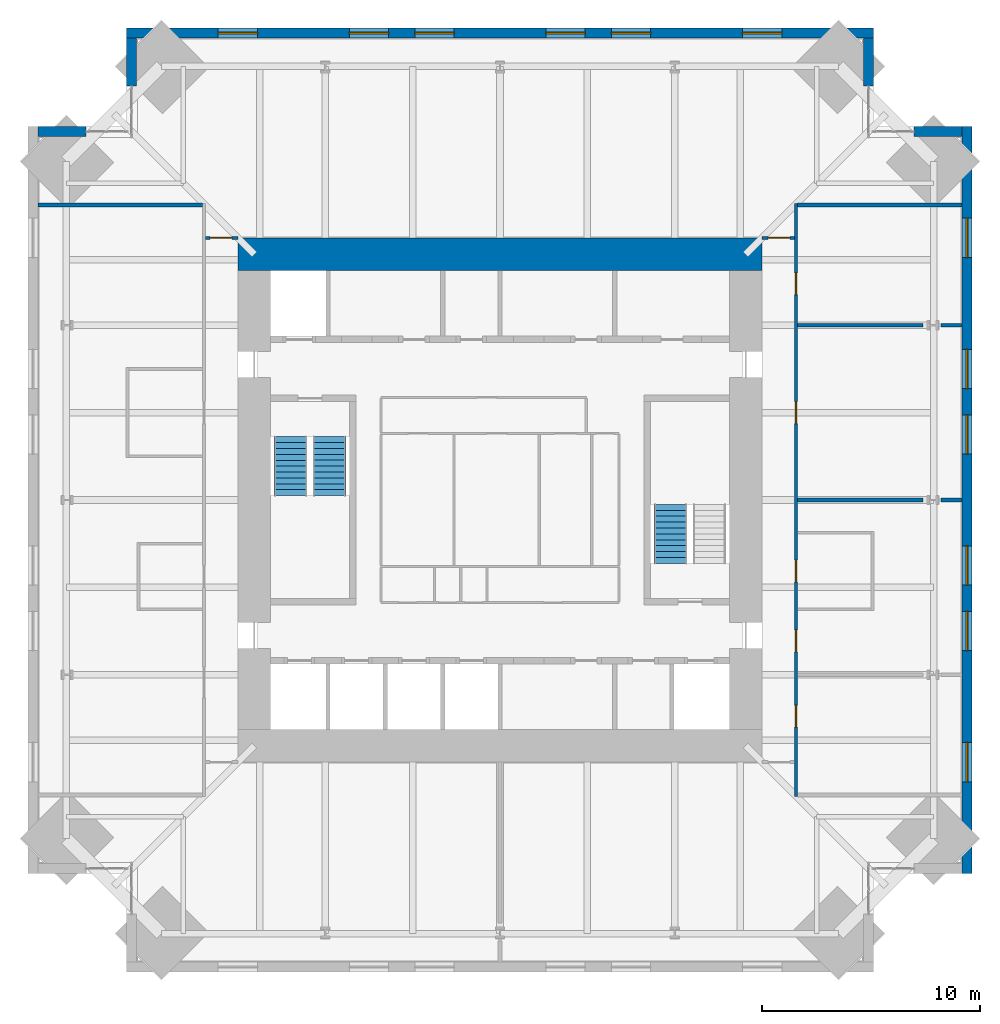
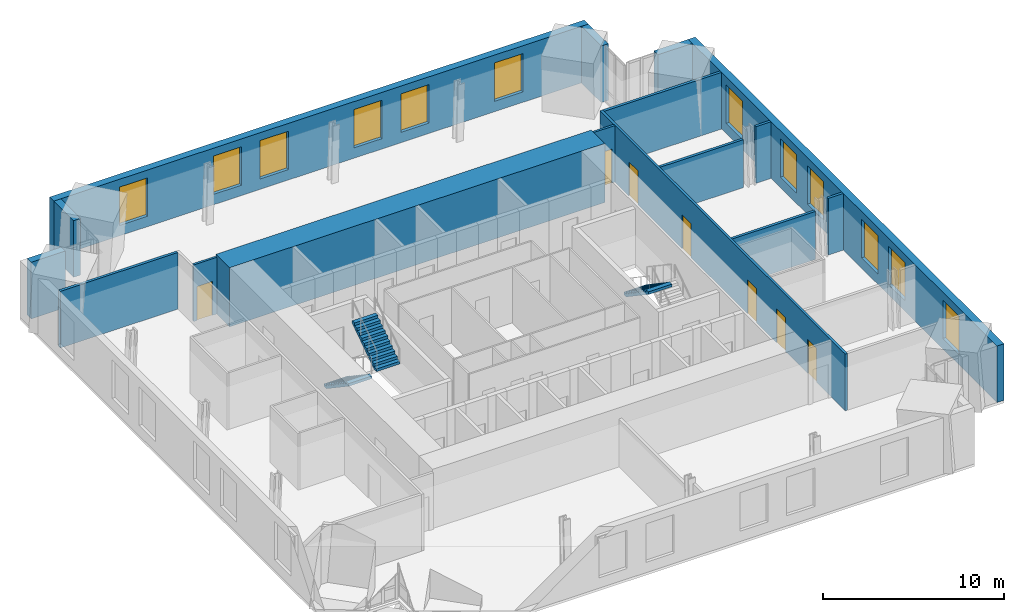
# One storey, part 14 of 16: 16 walls, 12 windows, 7 doors, 3 stair flights, 19 openings, 2 elements without a shape of their own.
"""IFC4 building model written with IfcOpenShell, lengths in metres."""

import ifcopenshell
import ifcopenshell.guid

model = None  # the IFC model being written
_history = None  # IfcOwnerHistory: only IFC2X3 demands one
_inside = {}  # id of a spatial element -> (the spatial element, [elements in it])
_under = {}  # id of a project, library or spatial element -> (it, [spatial elements below it])
_declared = {}  # id of a project -> (the project, [libraries it declares])
_typed = {}  # id of a type object -> (the type object, [elements of that type])
_made_of = {}  # id of a material, layer set ... -> (it, [elements and type objects made of it])


def new_model(schema):
    """Start an empty IFC model of exactly this schema.

    Asked for "IFC4X3", IfcOpenShell would pick the latest addendum, in which some entities
    have other attributes; the version numbers below select the first issue.
    IFC2X3 requires an IfcOwnerHistory on every rooted entity: one is made here for all.
    """
    global model, _history
    if schema == "IFC4X3":
        model = ifcopenshell.file(schema_version=(4, 3, 0, 0))
    else:
        model = ifcopenshell.file(schema=schema)
    _inside.clear()
    _under.clear()
    _declared.clear()
    _typed.clear()
    _made_of.clear()
    _history = None
    if model.schema == "IFC2X3":
        org = make("IfcOrganization", Name="unknown")
        user = make(
            "IfcPersonAndOrganization",
            ThePerson=make("IfcPerson", FamilyName="unknown"),
            TheOrganization=org,
        )
        app = make(
            "IfcApplication",
            ApplicationDeveloper=org,
            Version="unknown",
            ApplicationFullName="unknown",
            ApplicationIdentifier="unknown",
        )
        _history = make(
            "IfcOwnerHistory",
            OwningUser=user,
            OwningApplication=app,
            ChangeAction="ADDED",
            CreationDate=0,
        )
    return model


def make(cls, **values):
    """One entity of the class cls with the attributes given. An attribute that is None is left unset."""
    return model.create_entity(
        cls, **{name: value for name, value in values.items() if value is not None}
    )


def rooted(cls, **values):
    """An entity with a GlobalId (a new one), such as an element, a storey or a relation."""
    return make(cls, GlobalId=ifcopenshell.guid.new(), OwnerHistory=_history, **values)


def si_unit(unit_type, name, prefix=None):
    """IfcSIUnit, for example si_unit("LENGTHUNIT", "METRE", prefix="MILLI")."""
    return make("IfcSIUnit", UnitType=unit_type, Prefix=prefix, Name=name)


def assignment(units):
    """IfcUnitAssignment: the units of a project."""
    return None if units is None else make("IfcUnitAssignment", Units=units)


def point(xyz):
    """IfcCartesianPoint."""
    return None if xyz is None else make("IfcCartesianPoint", Coordinates=xyz)


def direction(xyz):
    """IfcDirection."""
    return None if xyz is None else make("IfcDirection", DirectionRatios=xyz)


def frame(location, z_axis=None, x_axis=None):
    """IfcAxis2Placement3D, a coordinate frame: its origin and axes. An axis left out is left unset."""
    return make(
        "IfcAxis2Placement3D",
        Location=point(location),
        Axis=direction(z_axis),
        RefDirection=direction(x_axis),
    )


def frame_2d(location, x_axis=None):
    """IfcAxis2Placement2D, a coordinate frame in the plane: its origin and x axis."""
    return make(
        "IfcAxis2Placement2D", Location=point(location), RefDirection=direction(x_axis)
    )


def origin():
    """The frame at (0, 0, 0) with its axes left unset."""
    return frame((0.0, 0.0, 0.0))


def place(relative_to, where):
    """IfcLocalPlacement: puts the frame where relative to a parent placement (None: the world)."""
    return make(
        "IfcLocalPlacement", PlacementRelTo=relative_to, RelativePlacement=where
    )


def context(
    kind, dimensions, precision=None, world=None, true_north=None, identifier=None
):
    """IfcGeometricRepresentationContext, for example the 3D "Model" context."""
    return make(
        "IfcGeometricRepresentationContext",
        ContextIdentifier=identifier,
        ContextType=kind,
        CoordinateSpaceDimension=dimensions,
        Precision=precision,
        WorldCoordinateSystem=world,
        TrueNorth=true_north,
    )


def subcontext(parent, identifier, kind, view, scale=None):
    """IfcGeometricRepresentationSubContext, for example "Body" below "Model"."""
    return make(
        "IfcGeometricRepresentationSubContext",
        ContextIdentifier=identifier,
        ContextType=kind,
        ParentContext=parent,
        TargetScale=scale,
        TargetView=view,
    )


def project(units=None, contexts=None):
    """IfcProject with its units and contexts."""
    return rooted(
        "IfcProject",
        Name="project",
        RepresentationContexts=contexts,
        UnitsInContext=assignment(units),
    )


def spatial(cls, under=None, at=None, **own):
    """A site, building, storey or space (cls), placed at a placement, below another one or the project."""
    s = rooted(cls, ObjectPlacement=at, **own)
    if under is not None:
        _under.setdefault(under.id(), (under, []))[1].append(s)
    return s


def polyline(points):
    """IfcPolyline through the points."""
    return make("IfcPolyline", Points=[point(p) for p in points])


def profile(cls, at=None, kind="AREA", **sizes):
    """A parametric profile (cls). Its sizes go by their IFC names, for example OverallWidth=200.0."""
    return make(cls, ProfileType=kind, Position=at, **sizes)


def rectangle(**sizes):
    """IfcRectangleProfileDef."""
    return profile("IfcRectangleProfileDef", **sizes)


def outline(outer, holes=None, kind="AREA"):
    """IfcArbitraryClosedProfileDef: a profile drawn as a closed curve; with holes, ...WithVoids."""
    if holes is None:
        return make("IfcArbitraryClosedProfileDef", ProfileType=kind, OuterCurve=outer)
    return make(
        "IfcArbitraryProfileDefWithVoids",
        ProfileType=kind,
        OuterCurve=outer,
        InnerCurves=holes,
    )


def extrude(swept, where, along, depth):
    """IfcExtrudedAreaSolid: the profile swept, set in the frame where, extruded along a direction by depth."""
    return make(
        "IfcExtrudedAreaSolid",
        SweptArea=swept,
        Position=where,
        ExtrudedDirection=direction(along),
        Depth=depth,
    )


def shape(context_of_items, identifier, shape_type, items):
    """IfcShapeRepresentation: the items that make up one representation, for example the "Body"."""
    return make(
        "IfcShapeRepresentation",
        ContextOfItems=context_of_items,
        RepresentationIdentifier=identifier,
        RepresentationType=shape_type,
        Items=items,
    )


def material(Name=None, Category=None):
    """IfcMaterial."""
    return make("IfcMaterial", Name=Name, Category=Category)


def layer(
    of_material, thickness, ventilated=None, Name=None, Category=None, Priority=None
):
    """IfcMaterialLayer: one layer of a wall or slab, of a material (None: an air gap)."""
    return make(
        "IfcMaterialLayer",
        Material=of_material,
        LayerThickness=thickness,
        IsVentilated=ventilated,
        Name=Name,
        Category=Category,
        Priority=Priority,
    )


def layer_set(layers, Name=None):
    """IfcMaterialLayerSet."""
    return make("IfcMaterialLayerSet", MaterialLayers=layers, LayerSetName=Name)


def made_of(thing, what):
    """Note that an element or type object is made of a material, layer set ...; save() writes the relation."""
    if what is not None:
        _made_of.setdefault(what.id(), (what, []))[1].append(thing)
    return thing


def type_object(cls, material=None, **own):
    """A type object (cls), such as IfcWallType, which elements share."""
    return made_of(rooted(cls, **own), material)


def element(
    cls,
    number,
    at=None,
    inside=None,
    cuts=None,
    type_object=None,
    material=None,
    context=None,
    identifier="Body",
    shape_type=None,
    held_by="IfcProductDefinitionShape",
    body=None,
    shapes=None,
    **own,
):
    """One element of the class cls, such as IfcWall. Its Tag is "e" and its number.

    at: its placement. inside: the storey or other place that contains it. cuts: it is an
    opening in that element (IfcRelVoidsElement). A single representation is given by context,
    identifier, shape_type and body (its items); several are given by shapes. held_by: the class
    of the entity that holds the representations. save() writes the other relations.
    """
    e = rooted(cls, Tag="e%d" % number, ObjectPlacement=at, **own)
    if body is not None:
        shapes = [shape(context, identifier, shape_type, body)]
    if shapes is not None:
        e.Representation = make(held_by, Representations=shapes)
    if inside is not None:
        _inside.setdefault(inside.id(), (inside, []))[1].append(e)
    if cuts is not None:
        rooted(
            "IfcRelVoidsElement", RelatingBuildingElement=cuts, RelatedOpeningElement=e
        )
    if type_object is not None:
        _typed.setdefault(type_object.id(), (type_object, []))[1].append(e)
    return made_of(e, material)


def fill(opening, filler):
    """IfcRelFillsElement: the door or window that sits in an opening."""
    return rooted(
        "IfcRelFillsElement",
        RelatingOpeningElement=opening,
        RelatedBuildingElement=filler,
    )


def aggregate(whole, parts):
    """IfcRelAggregates: a whole, such as a stair, and the parts it consists of."""
    return rooted("IfcRelAggregates", RelatingObject=whole, RelatedObjects=parts)


def save(model, path):
    """Write the relations noted so far, then the file.

    IfcRelAggregates (storeys below a building ...), IfcRelContainedInSpatialStructure (elements
    in a storey), IfcRelDefinesByType, IfcRelAssociatesMaterial and IfcRelDeclares: one each for
    every whole, place, type object, material and project.
    """
    for whole, parts in _under.values():
        aggregate(whole, parts)
    for where, things in _inside.values():
        rooted(
            "IfcRelContainedInSpatialStructure",
            RelatedElements=things,
            RelatingStructure=where,
        )
    for kind, things in _typed.values():
        rooted("IfcRelDefinesByType", RelatedObjects=things, RelatingType=kind)
    for what, things in _made_of.values():
        rooted("IfcRelAssociatesMaterial", RelatedObjects=things, RelatingMaterial=what)
    for by, libraries in _declared.values():
        rooted("IfcRelDeclares", RelatingContext=by, RelatedDefinitions=libraries)
    model.write(path)


model = new_model("IFC4")

# Units and contexts
model_context = context("Model", 3, precision=1e-05, world=origin(), true_north=direction((0.0, 1.0)))
body_context = subcontext(model_context, "Body", "Model", "MODEL_VIEW")
ifc_project = project(units=[si_unit("LENGTHUNIT", "METRE"), si_unit("AREAUNIT", "SQUARE_METRE"), si_unit("VOLUMEUNIT", "CUBIC_METRE"), si_unit("PLANEANGLEUNIT", "RADIAN"), si_unit("MASSUNIT", "GRAM", prefix="KILO")], contexts=[model_context])

# Site, building, storey
site_placement = place(None, origin())
site = spatial("IfcSite", under=ifc_project, at=site_placement, CompositionType="ELEMENT")
building_placement = place(site_placement, origin())
building = spatial("IfcBuilding", under=site, at=building_placement, Name="Peilmerk Tower", CompositionType="ELEMENT")
storey_placement = place(building_placement, frame((0.0, 0.0, 273.800048828125)))
storey = spatial("IfcBuildingStorey", under=building, at=storey_placement, Name="L61", CompositionType="ELEMENT", Elevation=273.800048828125)

# Wall, openings, windows
ifc_material_1 = material(Name="Precast concrete C45/55, board-marked finish", Category="concrete")
ifc_layer_1 = layer(ifc_material_1, 0.449951171875)
ifc_layer_set_1 = layer_set([ifc_layer_1], Name="Precast concrete C45/55, board-marked finish")
wall_type_1 = type_object("IfcWallType", Name="EW1 450 precast concrete facade wall, board-marked", PredefinedType="SOLIDWALL", material=ifc_layer_set_1)
wall_1_placement = place(storey_placement, frame((17.10009765625, 21.375, 0.0), z_axis=(0.0, 0.0, 1.0), x_axis=(-1.0, 0.0, 0.0)))
wall_1 = element("IfcWall", 1, at=wall_1_placement, inside=storey, type_object=wall_type_1, Name="Facade wall N L61", PredefinedType="SOLIDWALL", context=body_context, shape_type="SweptSolid", body=[
    extrude(rectangle(XDim=34.2001953125, YDim=0.449951171875, at=frame_2d((17.10009765625, 0.0))), origin(), (0.0, 0.0, 1.0), 3.829833984375),
])
opening_1_placement = place(wall_1_placement, frame((4.199951171875, 0.0, 0.699951171875)))
opening_1 = element("IfcOpeningElement", 2, at=opening_1_placement, cuts=wall_1, Name="Opening W1", PredefinedType="OPENING", context=body_context, shape_type="SweptSolid", body=[
    extrude(rectangle(XDim=1.800048828125, YDim=2.60009765625, at=frame_2d((0.89990234375, 1.300048828125))), frame((0.0, 0.23486328125, 0.0), z_axis=(0.0, -1.0, 0.0), x_axis=(1.0, 0.0, 0.0)), (0.0, 0.0, 1.0), 0.469970703125),
])
opening_2_placement = place(wall_1_placement, frame((10.199951171875, 0.0, 0.699951171875)))
opening_2 = element("IfcOpeningElement", 3, at=opening_2_placement, cuts=wall_1, Name="Opening W1", PredefinedType="OPENING", context=body_context, shape_type="SweptSolid", body=[
    extrude(rectangle(XDim=1.800048828125, YDim=2.60009765625, at=frame_2d((0.89990234375, 1.300048828125))), frame((0.0, 0.23486328125, 0.0), z_axis=(0.0, -1.0, 0.0), x_axis=(1.0, 0.0, 0.0)), (0.0, 0.0, 1.0), 0.469970703125),
])
opening_3_placement = place(wall_1_placement, frame((13.199951171875, 0.0, 0.699951171875)))
opening_3 = element("IfcOpeningElement", 4, at=opening_3_placement, cuts=wall_1, Name="Opening W1", PredefinedType="OPENING", context=body_context, shape_type="SweptSolid", body=[
    extrude(rectangle(XDim=1.800048828125, YDim=2.60009765625, at=frame_2d((0.89990234375, 1.300048828125))), frame((0.0, 0.23486328125, 0.0), z_axis=(0.0, -1.0, 0.0), x_axis=(1.0, 0.0, 0.0)), (0.0, 0.0, 1.0), 0.469970703125),
])
opening_4_placement = place(wall_1_placement, frame((19.199951171875, 0.0, 0.699951171875)))
opening_4 = element("IfcOpeningElement", 5, at=opening_4_placement, cuts=wall_1, Name="Opening W1", PredefinedType="OPENING", context=body_context, shape_type="SweptSolid", body=[
    extrude(rectangle(XDim=1.800048828125, YDim=2.60009765625, at=frame_2d((0.89990234375, 1.300048828125))), frame((0.0, 0.23486328125, 0.0), z_axis=(0.0, -1.0, 0.0), x_axis=(1.0, 0.0, 0.0)), (0.0, 0.0, 1.0), 0.469970703125),
])
opening_5_placement = place(wall_1_placement, frame((22.199951171875, 0.0, 0.699951171875)))
opening_5 = element("IfcOpeningElement", 6, at=opening_5_placement, cuts=wall_1, Name="Opening W1", PredefinedType="OPENING", context=body_context, shape_type="SweptSolid", body=[
    extrude(rectangle(XDim=1.800048828125, YDim=2.60009765625, at=frame_2d((0.89990234375, 1.300048828125))), frame((0.0, 0.23486328125, 0.0), z_axis=(0.0, -1.0, 0.0), x_axis=(1.0, 0.0, 0.0)), (0.0, 0.0, 1.0), 0.469970703125),
])
opening_6_placement = place(wall_1_placement, frame((28.199951171875, 0.0, 0.699951171875)))
opening_6 = element("IfcOpeningElement", 7, at=opening_6_placement, cuts=wall_1, Name="Opening W1", PredefinedType="OPENING", context=body_context, shape_type="SweptSolid", body=[
    extrude(rectangle(XDim=1.800048828125, YDim=2.60009765625, at=frame_2d((0.89990234375, 1.300048828125))), frame((0.0, 0.23486328125, 0.0), z_axis=(0.0, -1.0, 0.0), x_axis=(1.0, 0.0, 0.0)), (0.0, 0.0, 1.0), 0.469970703125),
])
ifc_material_2 = material(Name="Aluminium frame, clear double glazing", Category="aluminium")
window_type = type_object("IfcWindowType", Name="W1 1800x2600 office window", PartitioningType="SINGLE_PANEL", PredefinedType="WINDOW", material=ifc_material_2)
window_1_placement = place(opening_1_placement, origin())
window_1 = element("IfcWindow", 8, at=window_1_placement, inside=storey, type_object=window_type, Name="Window W1 L61", OverallHeight=2.60009765625, OverallWidth=1.800048828125, PartitioningType="SINGLE_PANEL", PredefinedType="WINDOW", context=body_context, shape_type="SweptSolid", body=[
    extrude(rectangle(XDim=1.800048828125, YDim=2.60009765625, at=frame_2d((0.89990234375, 1.300048828125))), frame((0.0, 0.030029296875, 0.0), z_axis=(0.0, -1.0, 0.0), x_axis=(1.0, 0.0, 0.0)), (0.0, 0.0, 1.0), 0.06005859375),
])
fill(opening_1, window_1)
window_2_placement = place(opening_2_placement, origin())
window_2 = element("IfcWindow", 9, at=window_2_placement, inside=storey, type_object=window_type, Name="Window W1 L61", OverallHeight=2.60009765625, OverallWidth=1.800048828125, PartitioningType="SINGLE_PANEL", PredefinedType="WINDOW", context=body_context, shape_type="SweptSolid", body=[
    extrude(rectangle(XDim=1.800048828125, YDim=2.60009765625, at=frame_2d((0.89990234375, 1.300048828125))), frame((0.0, 0.030029296875, 0.0), z_axis=(0.0, -1.0, 0.0), x_axis=(1.0, 0.0, 0.0)), (0.0, 0.0, 1.0), 0.06005859375),
])
fill(opening_2, window_2)
window_3_placement = place(opening_3_placement, origin())
window_3 = element("IfcWindow", 10, at=window_3_placement, inside=storey, type_object=window_type, Name="Window W1 L61", OverallHeight=2.60009765625, OverallWidth=1.800048828125, PartitioningType="SINGLE_PANEL", PredefinedType="WINDOW", context=body_context, shape_type="SweptSolid", body=[
    extrude(rectangle(XDim=1.800048828125, YDim=2.60009765625, at=frame_2d((0.89990234375, 1.300048828125))), frame((0.0, 0.030029296875, 0.0), z_axis=(0.0, -1.0, 0.0), x_axis=(1.0, 0.0, 0.0)), (0.0, 0.0, 1.0), 0.06005859375),
])
fill(opening_3, window_3)
window_4_placement = place(opening_4_placement, origin())
window_4 = element("IfcWindow", 11, at=window_4_placement, inside=storey, type_object=window_type, Name="Window W1 L61", OverallHeight=2.60009765625, OverallWidth=1.800048828125, PartitioningType="SINGLE_PANEL", PredefinedType="WINDOW", context=body_context, shape_type="SweptSolid", body=[
    extrude(rectangle(XDim=1.800048828125, YDim=2.60009765625, at=frame_2d((0.89990234375, 1.300048828125))), frame((0.0, 0.030029296875, 0.0), z_axis=(0.0, -1.0, 0.0), x_axis=(1.0, 0.0, 0.0)), (0.0, 0.0, 1.0), 0.06005859375),
])
fill(opening_4, window_4)
window_5_placement = place(opening_5_placement, origin())
window_5 = element("IfcWindow", 12, at=window_5_placement, inside=storey, type_object=window_type, Name="Window W1 L61", OverallHeight=2.60009765625, OverallWidth=1.800048828125, PartitioningType="SINGLE_PANEL", PredefinedType="WINDOW", context=body_context, shape_type="SweptSolid", body=[
    extrude(rectangle(XDim=1.800048828125, YDim=2.60009765625, at=frame_2d((0.89990234375, 1.300048828125))), frame((0.0, 0.030029296875, 0.0), z_axis=(0.0, -1.0, 0.0), x_axis=(1.0, 0.0, 0.0)), (0.0, 0.0, 1.0), 0.06005859375),
])
fill(opening_5, window_5)
window_6_placement = place(opening_6_placement, origin())
window_6 = element("IfcWindow", 13, at=window_6_placement, inside=storey, type_object=window_type, Name="Window W1 L61", OverallHeight=2.60009765625, OverallWidth=1.800048828125, PartitioningType="SINGLE_PANEL", PredefinedType="WINDOW", context=body_context, shape_type="SweptSolid", body=[
    extrude(rectangle(XDim=1.800048828125, YDim=2.60009765625, at=frame_2d((0.89990234375, 1.300048828125))), frame((0.0, 0.030029296875, 0.0), z_axis=(0.0, -1.0, 0.0), x_axis=(1.0, 0.0, 0.0)), (0.0, 0.0, 1.0), 0.06005859375),
])
fill(opening_6, window_6)

wall_2_placement = place(storey_placement, frame((21.375, -17.10009765625, 0.0), z_axis=(0.0, 0.0, 1.0), x_axis=(0.0, 1.0, 0.0)))
wall_2 = element("IfcWall", 14, at=wall_2_placement, inside=storey, type_object=wall_type_1, Name="Facade wall E L61", PredefinedType="SOLIDWALL", context=body_context, shape_type="SweptSolid", body=[
    extrude(rectangle(XDim=34.2001953125, YDim=0.449951171875, at=frame_2d((17.10009765625, 0.0))), origin(), (0.0, 0.0, 1.0), 3.829833984375),
])
opening_7_placement = place(wall_2_placement, frame((4.199951171875, 0.0, 0.699951171875)))
opening_7 = element("IfcOpeningElement", 15, at=opening_7_placement, cuts=wall_2, Name="Opening W1", PredefinedType="OPENING", context=body_context, shape_type="SweptSolid", body=[
    extrude(rectangle(XDim=1.800048828125, YDim=2.60009765625, at=frame_2d((0.89990234375, 1.300048828125))), frame((0.0, 0.23486328125, 0.0), z_axis=(0.0, -1.0, 0.0), x_axis=(1.0, 0.0, 0.0)), (0.0, 0.0, 1.0), 0.469970703125),
])
opening_8_placement = place(wall_2_placement, frame((10.199951171875, 0.0, 0.699951171875)))
opening_8 = element("IfcOpeningElement", 16, at=opening_8_placement, cuts=wall_2, Name="Opening W1", PredefinedType="OPENING", context=body_context, shape_type="SweptSolid", body=[
    extrude(rectangle(XDim=1.800048828125, YDim=2.60009765625, at=frame_2d((0.89990234375, 1.300048828125))), frame((0.0, 0.23486328125, 0.0), z_axis=(0.0, -1.0, 0.0), x_axis=(1.0, 0.0, 0.0)), (0.0, 0.0, 1.0), 0.469970703125),
])
opening_9_placement = place(wall_2_placement, frame((13.199951171875, 0.0, 0.699951171875)))
opening_9 = element("IfcOpeningElement", 17, at=opening_9_placement, cuts=wall_2, Name="Opening W1", PredefinedType="OPENING", context=body_context, shape_type="SweptSolid", body=[
    extrude(rectangle(XDim=1.800048828125, YDim=2.60009765625, at=frame_2d((0.89990234375, 1.300048828125))), frame((0.0, 0.23486328125, 0.0), z_axis=(0.0, -1.0, 0.0), x_axis=(1.0, 0.0, 0.0)), (0.0, 0.0, 1.0), 0.469970703125),
])
opening_10_placement = place(wall_2_placement, frame((19.199951171875, 0.0, 0.699951171875)))
opening_10 = element("IfcOpeningElement", 18, at=opening_10_placement, cuts=wall_2, Name="Opening W1", PredefinedType="OPENING", context=body_context, shape_type="SweptSolid", body=[
    extrude(rectangle(XDim=1.800048828125, YDim=2.60009765625, at=frame_2d((0.89990234375, 1.300048828125))), frame((0.0, 0.23486328125, 0.0), z_axis=(0.0, -1.0, 0.0), x_axis=(1.0, 0.0, 0.0)), (0.0, 0.0, 1.0), 0.469970703125),
])
opening_11_placement = place(wall_2_placement, frame((22.199951171875, 0.0, 0.699951171875)))
opening_11 = element("IfcOpeningElement", 19, at=opening_11_placement, cuts=wall_2, Name="Opening W1", PredefinedType="OPENING", context=body_context, shape_type="SweptSolid", body=[
    extrude(rectangle(XDim=1.800048828125, YDim=2.60009765625, at=frame_2d((0.89990234375, 1.300048828125))), frame((0.0, 0.23486328125, 0.0), z_axis=(0.0, -1.0, 0.0), x_axis=(1.0, 0.0, 0.0)), (0.0, 0.0, 1.0), 0.469970703125),
])
opening_12_placement = place(wall_2_placement, frame((28.199951171875, 0.0, 0.699951171875)))
opening_12 = element("IfcOpeningElement", 20, at=opening_12_placement, cuts=wall_2, Name="Opening W1", PredefinedType="OPENING", context=body_context, shape_type="SweptSolid", body=[
    extrude(rectangle(XDim=1.800048828125, YDim=2.60009765625, at=frame_2d((0.89990234375, 1.300048828125))), frame((0.0, 0.23486328125, 0.0), z_axis=(0.0, -1.0, 0.0), x_axis=(1.0, 0.0, 0.0)), (0.0, 0.0, 1.0), 0.469970703125),
])
window_7_placement = place(opening_7_placement, origin())
window_7 = element("IfcWindow", 21, at=window_7_placement, inside=storey, type_object=window_type, Name="Window W1 L61", OverallHeight=2.60009765625, OverallWidth=1.800048828125, PartitioningType="SINGLE_PANEL", PredefinedType="WINDOW", context=body_context, shape_type="SweptSolid", body=[
    extrude(rectangle(XDim=1.800048828125, YDim=2.60009765625, at=frame_2d((0.89990234375, 1.300048828125))), frame((0.0, 0.030029296875, 0.0), z_axis=(0.0, -1.0, 0.0), x_axis=(1.0, 0.0, 0.0)), (0.0, 0.0, 1.0), 0.06005859375),
])
fill(opening_7, window_7)
window_8_placement = place(opening_8_placement, origin())
window_8 = element("IfcWindow", 22, at=window_8_placement, inside=storey, type_object=window_type, Name="Window W1 L61", OverallHeight=2.60009765625, OverallWidth=1.800048828125, PartitioningType="SINGLE_PANEL", PredefinedType="WINDOW", context=body_context, shape_type="SweptSolid", body=[
    extrude(rectangle(XDim=1.800048828125, YDim=2.60009765625, at=frame_2d((0.89990234375, 1.300048828125))), frame((0.0, 0.030029296875, 0.0), z_axis=(0.0, -1.0, 0.0), x_axis=(1.0, 0.0, 0.0)), (0.0, 0.0, 1.0), 0.06005859375),
])
fill(opening_8, window_8)
window_9_placement = place(opening_9_placement, origin())
window_9 = element("IfcWindow", 23, at=window_9_placement, inside=storey, type_object=window_type, Name="Window W1 L61", OverallHeight=2.60009765625, OverallWidth=1.800048828125, PartitioningType="SINGLE_PANEL", PredefinedType="WINDOW", context=body_context, shape_type="SweptSolid", body=[
    extrude(rectangle(XDim=1.800048828125, YDim=2.60009765625, at=frame_2d((0.89990234375, 1.300048828125))), frame((0.0, 0.030029296875, 0.0), z_axis=(0.0, -1.0, 0.0), x_axis=(1.0, 0.0, 0.0)), (0.0, 0.0, 1.0), 0.06005859375),
])
fill(opening_9, window_9)
window_10_placement = place(opening_10_placement, origin())
window_10 = element("IfcWindow", 24, at=window_10_placement, inside=storey, type_object=window_type, Name="Window W1 L61", OverallHeight=2.60009765625, OverallWidth=1.800048828125, PartitioningType="SINGLE_PANEL", PredefinedType="WINDOW", context=body_context, shape_type="SweptSolid", body=[
    extrude(rectangle(XDim=1.800048828125, YDim=2.60009765625, at=frame_2d((0.89990234375, 1.300048828125))), frame((0.0, 0.030029296875, 0.0), z_axis=(0.0, -1.0, 0.0), x_axis=(1.0, 0.0, 0.0)), (0.0, 0.0, 1.0), 0.06005859375),
])
fill(opening_10, window_10)
window_11_placement = place(opening_11_placement, origin())
window_11 = element("IfcWindow", 25, at=window_11_placement, inside=storey, type_object=window_type, Name="Window W1 L61", OverallHeight=2.60009765625, OverallWidth=1.800048828125, PartitioningType="SINGLE_PANEL", PredefinedType="WINDOW", context=body_context, shape_type="SweptSolid", body=[
    extrude(rectangle(XDim=1.800048828125, YDim=2.60009765625, at=frame_2d((0.89990234375, 1.300048828125))), frame((0.0, 0.030029296875, 0.0), z_axis=(0.0, -1.0, 0.0), x_axis=(1.0, 0.0, 0.0)), (0.0, 0.0, 1.0), 0.06005859375),
])
fill(opening_11, window_11)
window_12_placement = place(opening_12_placement, origin())
window_12 = element("IfcWindow", 26, at=window_12_placement, inside=storey, type_object=window_type, Name="Window W1 L61", OverallHeight=2.60009765625, OverallWidth=1.800048828125, PartitioningType="SINGLE_PANEL", PredefinedType="WINDOW", context=body_context, shape_type="SweptSolid", body=[
    extrude(rectangle(XDim=1.800048828125, YDim=2.60009765625, at=frame_2d((0.89990234375, 1.300048828125))), frame((0.0, 0.030029296875, 0.0), z_axis=(0.0, -1.0, 0.0), x_axis=(1.0, 0.0, 0.0)), (0.0, 0.0, 1.0), 0.06005859375),
])
fill(opening_12, window_12)

# Walls
for number, where, z_axis, x_axis, name in (
    (27, (16.875, 18.95361328125, 0.0), (0.0, 0.0, 1.0), (0.0, 1.0, 0.0), "Facade wall NEA L61"),
    (28, (18.95361328125, 16.875, 0.0), (0.0, 0.0, 1.0), (1.0, 0.0, 0.0), "Facade wall NEB L61"),
    (29, (-16.875, 18.95361328125, 0.0), (0.0, 0.0, 1.0), (0.0, 1.0, 0.0), "Facade wall NWA L61"),
    (30, (-18.95361328125, 16.875, 0.0), (0.0, 0.0, 1.0), (-1.0, 0.0, 0.0), "Facade wall NWB L61"),
):
    element("IfcWall", number, at=place(storey_placement, frame(where, z_axis=z_axis, x_axis=x_axis)), inside=storey, type_object=wall_type_1, Name=name, PredefinedType="SOLIDWALL", context=body_context, shape_type="SweptSolid", body=[
        extrude(rectangle(XDim=2.1962890625, YDim=0.449951171875, at=frame_2d((1.09814453125, 0.0))), origin(), (0.0, 0.0, 1.0), 3.829833984375),
    ])

# Wall, openings, doors
ifc_material_3 = material(Name="Calcium silicate block", Category="masonry")
ifc_layer_2 = layer(ifc_material_3, 0.14990234375)
ifc_layer_set_2 = layer_set([ifc_layer_2], Name="Calcium silicate block")
wall_type_2 = type_object("IfcWallType", Name="IW1 150 corridor partition, EI 60", PredefinedType="PARTITIONING", material=ifc_layer_set_2)
wall_3_placement = place(storey_placement, frame((13.550048828125, -13.574951171875, 0.0), z_axis=(0.0, 0.0, 1.0), x_axis=(0.0, 1.0, 0.0)))
wall_3 = element("IfcWall", 31, at=wall_3_placement, inside=storey, type_object=wall_type_2, Name="Corridor wall E L61", PredefinedType="PARTITIONING", context=body_context, shape_type="SweptSolid", body=[
    extrude(rectangle(XDim=27.14990234375, YDim=0.14990234375, at=frame_2d((13.574951171875, 0.0))), origin(), (0.0, 0.0, 1.0), 3.829833984375),
])
opening_13_placement = place(wall_3_placement, frame((3.175048828125, 0.0, 0.0)))
opening_13 = element("IfcOpeningElement", 32, at=opening_13_placement, cuts=wall_3, Name="Opening D1", PredefinedType="OPENING", context=body_context, shape_type="SweptSolid", body=[
    extrude(rectangle(XDim=1.0, YDim=2.300048828125, at=frame_2d((0.5, 1.14990234375))), frame((0.0, 0.0849609375, 0.0), z_axis=(0.0, -1.0, 0.0), x_axis=(1.0, 0.0, 0.0)), (0.0, 0.0, 1.0), 0.169921875),
])
opening_14_placement = place(wall_3_placement, frame((6.625, 0.0, 0.0)))
opening_14 = element("IfcOpeningElement", 33, at=opening_14_placement, cuts=wall_3, Name="Opening D1", PredefinedType="OPENING", context=body_context, shape_type="SweptSolid", body=[
    extrude(rectangle(XDim=1.0, YDim=2.300048828125, at=frame_2d((0.5, 1.14990234375))), frame((0.0, 0.0849609375, 0.0), z_axis=(0.0, -1.0, 0.0), x_axis=(1.0, 0.0, 0.0)), (0.0, 0.0, 1.0), 0.169921875),
])
opening_15_placement = place(wall_3_placement, frame((17.074951171875, 0.0, 0.0)))
opening_15 = element("IfcOpeningElement", 34, at=opening_15_placement, cuts=wall_3, Name="Opening D1", PredefinedType="OPENING", context=body_context, shape_type="SweptSolid", body=[
    extrude(rectangle(XDim=1.0, YDim=2.300048828125, at=frame_2d((0.5, 1.14990234375))), frame((0.0, 0.0849609375, 0.0), z_axis=(0.0, -1.0, 0.0), x_axis=(1.0, 0.0, 0.0)), (0.0, 0.0, 1.0), 0.169921875),
])
opening_16_placement = place(wall_3_placement, frame((22.97509765625, 0.0, 0.0)))
opening_16 = element("IfcOpeningElement", 35, at=opening_16_placement, cuts=wall_3, Name="Opening D1", PredefinedType="OPENING", context=body_context, shape_type="SweptSolid", body=[
    extrude(rectangle(XDim=1.0, YDim=2.300048828125, at=frame_2d((0.5, 1.14990234375))), frame((0.0, 0.0849609375, 0.0), z_axis=(0.0, -1.0, 0.0), x_axis=(1.0, 0.0, 0.0)), (0.0, 0.0, 1.0), 0.169921875),
])
opening_17_placement = place(wall_3_placement, frame((9.824951171875, 0.0, 0.0)))
opening_17 = element("IfcOpeningElement", 36, at=opening_17_placement, cuts=wall_3, Name="Opening D1", PredefinedType="OPENING", context=body_context, shape_type="SweptSolid", body=[
    extrude(rectangle(XDim=1.0, YDim=2.300048828125, at=frame_2d((0.5, 1.14990234375))), frame((0.0, 0.0849609375, 0.0), z_axis=(0.0, -1.0, 0.0), x_axis=(1.0, 0.0, 0.0)), (0.0, 0.0, 1.0), 0.169921875),
])
ifc_material_4 = material(Name="Timber door in steel frame", Category="steel")
door_type = type_object("IfcDoorType", Name="D1 1000x2300 room door, EI2 30", OperationType="SINGLE_SWING_LEFT", PredefinedType="DOOR", material=ifc_material_4)
door_1_placement = place(opening_13_placement, frame((1.0, 0.0, 0.0), z_axis=(0.0, 0.0, 1.0), x_axis=(-1.0, 0.0, 0.0)))
door_1 = element("IfcDoor", 37, at=door_1_placement, inside=storey, type_object=door_type, Name="Door Executive office L61", OperationType="SINGLE_SWING_LEFT", OverallHeight=2.300048828125, OverallWidth=1.0, PredefinedType="DOOR", context=body_context, shape_type="SweptSolid", body=[
    extrude(rectangle(XDim=1.0, YDim=2.300048828125, at=frame_2d((0.5, 1.14990234375))), frame((0.0, 0.02490234375, 0.0), z_axis=(0.0, -1.0, 0.0), x_axis=(1.0, 0.0, 0.0)), (0.0, 0.0, 1.0), 0.050048828125),
])
fill(opening_13, door_1)
door_2_placement = place(opening_14_placement, frame((1.0, 0.0, 0.0), z_axis=(0.0, 0.0, 1.0), x_axis=(-1.0, 0.0, 0.0)))
door_2 = element("IfcDoor", 38, at=door_2_placement, inside=storey, type_object=door_type, Name="Door Executive office L61", OperationType="SINGLE_SWING_LEFT", OverallHeight=2.300048828125, OverallWidth=1.0, PredefinedType="DOOR", context=body_context, shape_type="SweptSolid", body=[
    extrude(rectangle(XDim=1.0, YDim=2.300048828125, at=frame_2d((0.5, 1.14990234375))), frame((0.0, 0.02490234375, 0.0), z_axis=(0.0, -1.0, 0.0), x_axis=(1.0, 0.0, 0.0)), (0.0, 0.0, 1.0), 0.050048828125),
])
fill(opening_14, door_2)
door_3_placement = place(opening_15_placement, frame((1.0, 0.0, 0.0), z_axis=(0.0, 0.0, 1.0), x_axis=(-1.0, 0.0, 0.0)))
door_3 = element("IfcDoor", 39, at=door_3_placement, inside=storey, type_object=door_type, Name="Door Executive office L61", OperationType="SINGLE_SWING_LEFT", OverallHeight=2.300048828125, OverallWidth=1.0, PredefinedType="DOOR", context=body_context, shape_type="SweptSolid", body=[
    extrude(rectangle(XDim=1.0, YDim=2.300048828125, at=frame_2d((0.5, 1.14990234375))), frame((0.0, 0.02490234375, 0.0), z_axis=(0.0, -1.0, 0.0), x_axis=(1.0, 0.0, 0.0)), (0.0, 0.0, 1.0), 0.050048828125),
])
fill(opening_15, door_3)
door_4_placement = place(opening_16_placement, frame((1.0, 0.0, 0.0), z_axis=(0.0, 0.0, 1.0), x_axis=(-1.0, 0.0, 0.0)))
door_4 = element("IfcDoor", 40, at=door_4_placement, inside=storey, type_object=door_type, Name="Door Executive office L61", OperationType="SINGLE_SWING_LEFT", OverallHeight=2.300048828125, OverallWidth=1.0, PredefinedType="DOOR", context=body_context, shape_type="SweptSolid", body=[
    extrude(rectangle(XDim=1.0, YDim=2.300048828125, at=frame_2d((0.5, 1.14990234375))), frame((0.0, 0.02490234375, 0.0), z_axis=(0.0, -1.0, 0.0), x_axis=(1.0, 0.0, 0.0)), (0.0, 0.0, 1.0), 0.050048828125),
])
fill(opening_16, door_4)
door_5_placement = place(opening_17_placement, frame((1.0, 0.0, 0.0), z_axis=(0.0, 0.0, 1.0), x_axis=(-1.0, 0.0, 0.0)))
door_5 = element("IfcDoor", 41, at=door_5_placement, inside=storey, type_object=door_type, Name="Door Pantry L61", OperationType="SINGLE_SWING_LEFT", OverallHeight=2.300048828125, OverallWidth=1.0, PredefinedType="DOOR", context=body_context, shape_type="SweptSolid", body=[
    extrude(rectangle(XDim=1.0, YDim=2.300048828125, at=frame_2d((0.5, 1.14990234375))), frame((0.0, 0.02490234375, 0.0), z_axis=(0.0, -1.0, 0.0), x_axis=(1.0, 0.0, 0.0)), (0.0, 0.0, 1.0), 0.050048828125),
])
fill(opening_17, door_5)

# Wall, opening, door
wall_4_placement = place(storey_placement, frame((12.0, 12.0, 0.0), z_axis=(0.0, 0.0, 1.0), x_axis=(1.0, 0.0, 0.0)))
wall_4 = element("IfcWall", 42, at=wall_4_placement, inside=storey, type_object=wall_type_2, Name="Corridor wall NE L61", PredefinedType="PARTITIONING", context=body_context, shape_type="SweptSolid", body=[
    extrude(rectangle(XDim=1.47509765625, YDim=0.14990234375, at=frame_2d((0.737548828125, 0.0))), origin(), (0.0, 0.0, 1.0), 3.829833984375),
])
opening_18_placement = place(wall_4_placement, frame((0.27490234375, 0.0, 0.0)))
opening_18 = element("IfcOpeningElement", 43, at=opening_18_placement, cuts=wall_4, Name="Opening D1", PredefinedType="OPENING", context=body_context, shape_type="SweptSolid", body=[
    extrude(rectangle(XDim=1.0, YDim=2.300048828125, at=frame_2d((0.5, 1.14990234375))), frame((0.0, 0.0849609375, 0.0), z_axis=(0.0, -1.0, 0.0), x_axis=(1.0, 0.0, 0.0)), (0.0, 0.0, 1.0), 0.169921875),
])
door_6_placement = place(opening_18_placement, origin())
door_6 = element("IfcDoor", 44, at=door_6_placement, inside=storey, type_object=door_type, Name="Door Client suite L61", OperationType="SINGLE_SWING_LEFT", OverallHeight=2.300048828125, OverallWidth=1.0, PredefinedType="DOOR", context=body_context, shape_type="SweptSolid", body=[
    extrude(rectangle(XDim=1.0, YDim=2.300048828125, at=frame_2d((0.5, 1.14990234375))), frame((0.0, 0.02490234375, 0.0), z_axis=(0.0, -1.0, 0.0), x_axis=(1.0, 0.0, 0.0)), (0.0, 0.0, 1.0), 0.050048828125),
])
fill(opening_18, door_6)

wall_5_placement = place(storey_placement, frame((-13.47509765625, 12.0, 0.0), z_axis=(0.0, 0.0, 1.0), x_axis=(1.0, 0.0, 0.0)))
wall_5 = element("IfcWall", 45, at=wall_5_placement, inside=storey, type_object=wall_type_2, Name="Corridor wall NW L61", PredefinedType="PARTITIONING", context=body_context, shape_type="SweptSolid", body=[
    extrude(rectangle(XDim=1.47509765625, YDim=0.14990234375, at=frame_2d((0.737548828125, 0.0))), origin(), (0.0, 0.0, 1.0), 3.829833984375),
])
opening_19_placement = place(wall_5_placement, frame((0.199951171875, 0.0, 0.0)))
opening_19 = element("IfcOpeningElement", 46, at=opening_19_placement, cuts=wall_5, Name="Opening D1", PredefinedType="OPENING", context=body_context, shape_type="SweptSolid", body=[
    extrude(rectangle(XDim=1.0, YDim=2.300048828125, at=frame_2d((0.5, 1.14990234375))), frame((0.0, 0.0849609375, 0.0), z_axis=(0.0, -1.0, 0.0), x_axis=(1.0, 0.0, 0.0)), (0.0, 0.0, 1.0), 0.169921875),
])
door_7_placement = place(opening_19_placement, origin())
door_7 = element("IfcDoor", 47, at=door_7_placement, inside=storey, type_object=door_type, Name="Door Client suite L61", OperationType="SINGLE_SWING_LEFT", OverallHeight=2.300048828125, OverallWidth=1.0, PredefinedType="DOOR", context=body_context, shape_type="SweptSolid", body=[
    extrude(rectangle(XDim=1.0, YDim=2.300048828125, at=frame_2d((0.5, 1.14990234375))), frame((0.0, 0.02490234375, 0.0), z_axis=(0.0, -1.0, 0.0), x_axis=(1.0, 0.0, 0.0)), (0.0, 0.0, 1.0), 0.050048828125),
])
fill(opening_19, door_7)

# Walls
ifc_layer_3 = layer(ifc_material_3, 0.175048828125)
ifc_layer_set_3 = layer_set([ifc_layer_3], Name="Calcium silicate block")
wall_type_3 = type_object("IfcWallType", Name="IW8 175 tenant separating wall, EI 60", PredefinedType="PARTITIONING", material=ifc_layer_set_3)
for number, where, z_axis, x_axis, name in (
    (48, (13.625, 13.5, 0.0), (0.0, 0.0, 1.0), (1.0, 0.0, 0.0), "Tenant separating wall NE L61"),
    (49, (-21.14990234375, 13.5, 0.0), (0.0, 0.0, 1.0), (1.0, 0.0, 0.0), "Tenant separating wall NW L61"),
):
    element("IfcWall", number, at=place(storey_placement, frame(where, z_axis=z_axis, x_axis=x_axis)), inside=storey, type_object=wall_type_3, Name=name, PredefinedType="PARTITIONING", context=body_context, shape_type="SweptSolid", body=[
        extrude(rectangle(XDim=7.52490234375, YDim=0.175048828125, at=frame_2d((3.762451171875, 0.0))), origin(), (0.0, 0.0, 1.0), 3.829833984375),
    ])
wall_6_placement = place(storey_placement, frame((13.625, 0.0, 0.0), z_axis=(0.0, 0.0, 1.0), x_axis=(1.0, 0.0, 0.0)))
element("IfcWall", 50, at=wall_6_placement, inside=storey, type_object=wall_type_3, Name="Tenant separating wall E2 L61", PredefinedType="PARTITIONING", context=body_context, shape_type="SweptSolid", body=[
    extrude(rectangle(XDim=5.740478515625, YDim=0.175048828125, at=frame_2d((2.8701171875, 0.0))), origin(), (0.0, 0.0, 1.0), 3.239990234375),
])
wall_7_placement = place(storey_placement, frame((20.18603515625, 0.0, 0.0), z_axis=(0.0, 0.0, 1.0), x_axis=(1.0, 0.0, 0.0)))
element("IfcWall", 51, at=wall_7_placement, inside=storey, type_object=wall_type_3, Name="Tenant separating wall E2b L61", PredefinedType="PARTITIONING", context=body_context, shape_type="SweptSolid", body=[
    extrude(rectangle(XDim=0.9638671875, YDim=0.175048828125, at=frame_2d((0.48193359375, 0.0))), origin(), (0.0, 0.0, 1.0), 3.829833984375),
])
wall_8_placement = place(storey_placement, frame((13.625, 8.0, 0.0), z_axis=(0.0, 0.0, 1.0), x_axis=(1.0, 0.0, 0.0)))
element("IfcWall", 52, at=wall_8_placement, inside=storey, type_object=wall_type_3, Name="Tenant separating wall E3 L61", PredefinedType="PARTITIONING", context=body_context, shape_type="SweptSolid", body=[
    extrude(rectangle(XDim=5.740478515625, YDim=0.175048828125, at=frame_2d((2.8701171875, 0.0))), origin(), (0.0, 0.0, 1.0), 3.239990234375),
])
wall_9_placement = place(storey_placement, frame((20.18603515625, 8.0, 0.0), z_axis=(0.0, 0.0, 1.0), x_axis=(1.0, 0.0, 0.0)))
element("IfcWall", 53, at=wall_9_placement, inside=storey, type_object=wall_type_3, Name="Tenant separating wall E3b L61", PredefinedType="PARTITIONING", context=body_context, shape_type="SweptSolid", body=[
    extrude(rectangle(XDim=0.9638671875, YDim=0.175048828125, at=frame_2d((0.48193359375, 0.0))), origin(), (0.0, 0.0, 1.0), 3.829833984375),
])
ifc_material_5 = material(Name="Concrete C55/67", Category="concrete")
ifc_layer_4 = layer(ifc_material_5, 1.5)
ifc_layer_set_4 = layer_set([ifc_layer_4], Name="Concrete C55/67")
wall_type_4 = type_object("IfcWallType", Name="SW1 1500 core wall", PredefinedType="SHEAR", material=ifc_layer_set_4)
wall_10_placement = place(storey_placement, frame((-12.0, 11.25, 0.0), z_axis=(0.0, 0.0, 1.0), x_axis=(1.0, 0.0, 0.0)))
element("IfcWall", 54, at=wall_10_placement, inside=storey, type_object=wall_type_4, Name="Core wall N L61", PredefinedType="SHEAR", context=body_context, shape_type="SweptSolid", body=[
    extrude(rectangle(XDim=24.0, YDim=1.5, at=frame_2d((12.0, 0.0))), origin(), (0.0, 0.0, 1.0), 4.0),
])

# Stair, stair flights
ifc_material_6 = material(Name="Precast concrete C45/55", Category="concrete")
stair_type_1 = type_object("IfcStairType", Name="ST1 22 risers of 181.8", PredefinedType="HALF_TURN_STAIR", material=ifc_material_6)
stair_1_placement = place(storey_placement, origin())
stair_1 = element("IfcStair", 55, at=stair_1_placement, inside=storey, type_object=stair_type_1, Name="Stair 1 L61 to L62", PredefinedType="HALF_TURN_STAIR")
stair_flight_type = type_object("IfcStairFlightType", Name="SF11 flight, 11 risers of 181.8", PredefinedType="STRAIGHT", material=ifc_material_6)
stair_flight_1_placement = place(storey_placement, frame((-9.60009765625, 2.89990234375, 0.0), z_axis=(0.0, 0.0, 1.0), x_axis=(0.0, -1.0, 0.0)))
stair_flight_1 = element("IfcStairFlight", 56, at=stair_flight_1_placement, type_object=stair_flight_type, Name="ST1 flight 1", NumberOfRisers=11, NumberOfTreads=10, PredefinedType="STRAIGHT", RiserHeight=0.181818182, TreadLength=0.27, context=body_context, shape_type="SweptSolid", body=[
    extrude(outline(polyline([(0.0, 0.0), (0.0, 0.181884765625), (0.27001953125, 0.181884765625), (0.27001953125, 0.363525390625), (0.5400390625, 0.363525390625), (0.5400390625, 0.54541015625), (0.81005859375, 0.54541015625), (0.81005859375, 0.727294921875), (1.080078125, 0.727294921875), (1.080078125, 0.9091796875), (1.35009765625, 0.9091796875), (1.35009765625, 1.0908203125), (1.6201171875, 1.0908203125), (1.6201171875, 1.272705078125), (1.889892578125, 1.272705078125), (1.889892578125, 1.45458984375), (2.159912109375, 1.45458984375), (2.159912109375, 1.636474609375), (2.429931640625, 1.636474609375), (2.429931640625, 1.818115234375), (2.699951171875, 1.818115234375), (2.699951171875, 2.0), (2.699951171875, 1.637451171875), (0.268310546875, 0.0), (0.0, 0.0)])), frame((0.0, 0.75, 0.0), z_axis=(0.0, -1.0, 0.0), x_axis=(1.0, 0.0, 0.0)), (0.0, 0.0, 1.0), 1.5),
])
stair_flight_2_placement = place(storey_placement, frame((-7.800048828125, 0.199951171875, 2.0), z_axis=(0.0, 0.0, 1.0), x_axis=(0.0, 1.0, 0.0)))
stair_flight_2 = element("IfcStairFlight", 57, at=stair_flight_2_placement, type_object=stair_flight_type, Name="ST1 flight 2", NumberOfRisers=11, NumberOfTreads=10, PredefinedType="STRAIGHT", RiserHeight=0.181818182, TreadLength=0.27, context=body_context, shape_type="SweptSolid", body=[
    extrude(outline(polyline([(0.0, 0.0), (0.0, 0.181884765625), (0.27001953125, 0.181884765625), (0.27001953125, 0.363525390625), (0.5400390625, 0.363525390625), (0.5400390625, 0.54541015625), (0.81005859375, 0.54541015625), (0.81005859375, 0.727294921875), (1.080078125, 0.727294921875), (1.080078125, 0.9091796875), (1.35009765625, 0.9091796875), (1.35009765625, 1.0908203125), (1.6201171875, 1.0908203125), (1.6201171875, 1.272705078125), (1.889892578125, 1.272705078125), (1.889892578125, 1.45458984375), (2.159912109375, 1.45458984375), (2.159912109375, 1.636474609375), (2.429931640625, 1.636474609375), (2.429931640625, 1.818115234375), (2.699951171875, 1.818115234375), (2.699951171875, 2.0), (2.699951171875, 1.637451171875), (0.268310546875, 0.0), (0.0, 0.0)])), frame((0.0, 0.75, 0.0), z_axis=(0.0, -1.0, 0.0), x_axis=(1.0, 0.0, 0.0)), (0.0, 0.0, 1.0), 1.5),
])
aggregate(stair_1, [stair_flight_1, stair_flight_2])

# Stair, stair flight
stair_type_2 = type_object("IfcStairType", Name="ST2 22 risers of 181.8", PredefinedType="HALF_TURN_STAIR", material=ifc_material_6)
stair_2_placement = place(storey_placement, origin())
stair_2 = element("IfcStair", 58, at=stair_2_placement, inside=storey, type_object=stair_type_2, Name="Stair 2 L61 to L62", PredefinedType="HALF_TURN_STAIR")
stair_flight_3_placement = place(storey_placement, frame((7.800048828125, -0.199951171875, 2.0), z_axis=(0.0, 0.0, 1.0), x_axis=(0.0, -1.0, 0.0)))
stair_flight_3 = element("IfcStairFlight", 59, at=stair_flight_3_placement, type_object=stair_flight_type, Name="ST2 flight 2", NumberOfRisers=11, NumberOfTreads=10, PredefinedType="STRAIGHT", RiserHeight=0.181818182, TreadLength=0.27, context=body_context, shape_type="SweptSolid", body=[
    extrude(outline(polyline([(0.0, 0.0), (0.0, 0.181884765625), (0.27001953125, 0.181884765625), (0.27001953125, 0.363525390625), (0.5400390625, 0.363525390625), (0.5400390625, 0.54541015625), (0.81005859375, 0.54541015625), (0.81005859375, 0.727294921875), (1.080078125, 0.727294921875), (1.080078125, 0.9091796875), (1.35009765625, 0.9091796875), (1.35009765625, 1.0908203125), (1.6201171875, 1.0908203125), (1.6201171875, 1.272705078125), (1.889892578125, 1.272705078125), (1.889892578125, 1.45458984375), (2.159912109375, 1.45458984375), (2.159912109375, 1.636474609375), (2.429931640625, 1.636474609375), (2.429931640625, 1.818115234375), (2.699951171875, 1.818115234375), (2.699951171875, 2.0), (2.699951171875, 1.637451171875), (0.268310546875, 0.0), (0.0, 0.0)])), frame((0.0, 0.75, 0.0), z_axis=(0.0, -1.0, 0.0), x_axis=(1.0, 0.0, 0.0)), (0.0, 0.0, 1.0), 1.5),
])
aggregate(stair_2, [stair_flight_3])

save(model, "model.ifc")
